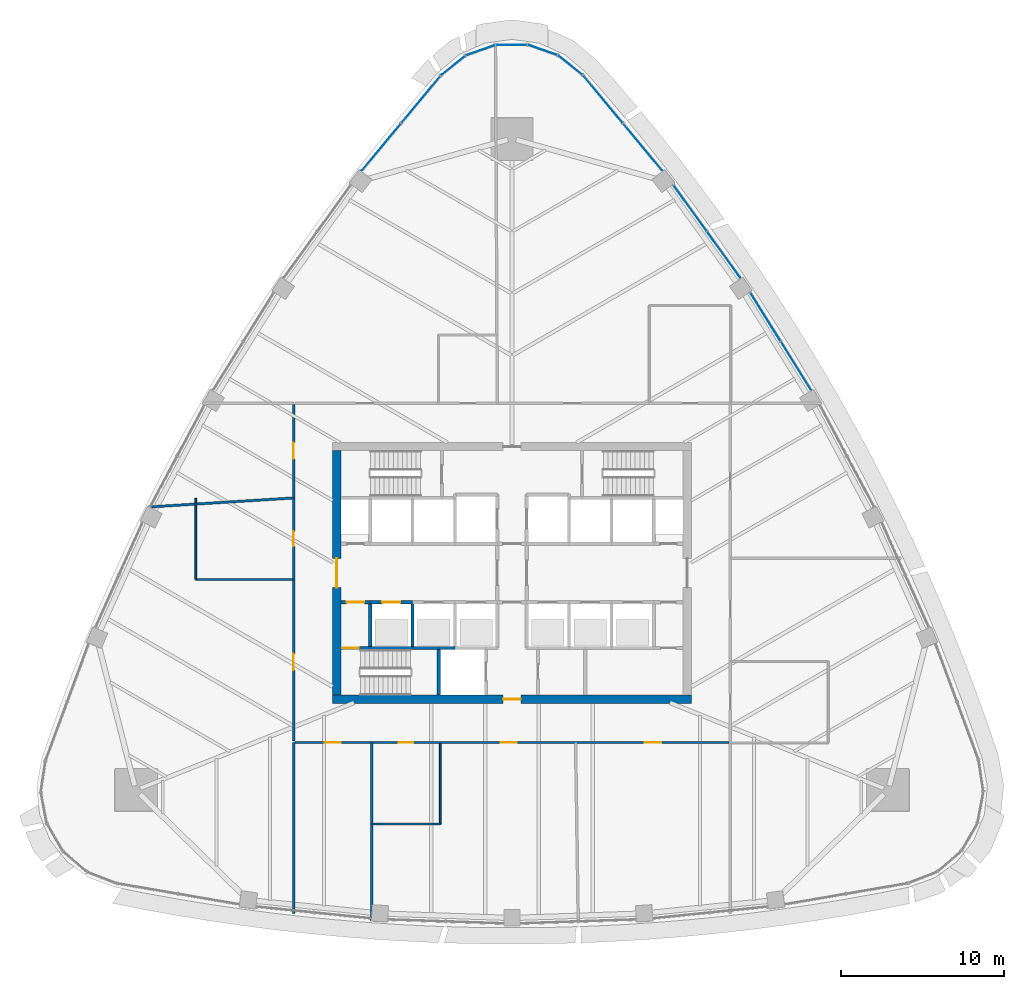
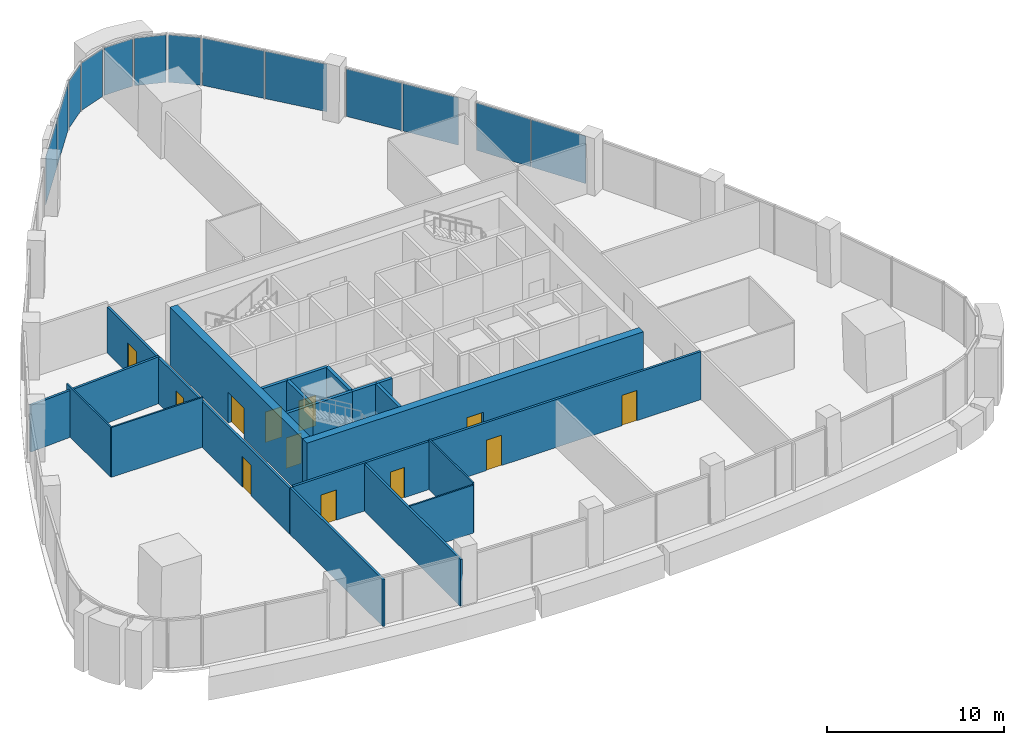
# One storey, part 9 of 16: 20 walls, 13 plates, 12 doors, 12 openings, 9 elements without a shape of their own.
"""IFC4 building model written with IfcOpenShell, lengths in metres."""

from ifc_helpers import new_model, si_unit, direction, frame, frame_2d, origin, origin_2d, place, context, subcontext, project, spatial, rectangle, extrude, material, layer, layer_set, type_object, element, fill, aggregate, save


model = new_model("IFC4")

# Units and contexts
model_context = context("Model", 3, precision=1e-05, world=origin(), true_north=direction((0.0, 1.0)))
body_context = subcontext(model_context, "Body", "Model", "MODEL_VIEW")
ifc_project = project(units=[si_unit("LENGTHUNIT", "METRE"), si_unit("AREAUNIT", "SQUARE_METRE"), si_unit("VOLUMEUNIT", "CUBIC_METRE"), si_unit("PLANEANGLEUNIT", "RADIAN"), si_unit("MASSUNIT", "GRAM", prefix="KILO")], contexts=[model_context])

# Site, building, storey
site_placement = place(None, origin())
site = spatial("IfcSite", under=ifc_project, at=site_placement, CompositionType="ELEMENT")
building_placement = place(site_placement, origin())
building = spatial("IfcBuilding", under=site, at=building_placement, Name="Sierra Prisma Convention Tower", CompositionType="ELEMENT")
storey_placement = place(building_placement, frame((0.0, 0.0, 197.800048828125)))
storey = spatial("IfcBuildingStorey", under=building, at=storey_placement, Name="L44", CompositionType="ELEMENT", Elevation=197.800048828125)

# Curtain wall, plates
ifc_material_1 = material(Name="Aluminium and glass curtain wall", Category="aluminium")
ifc_layer_1 = layer(ifc_material_1, 0.179931640625)
ifc_layer_set_1 = layer_set([ifc_layer_1], Name="CW-1 Plain shaft curtain wall")
curtain_wall_type = type_object("IfcCurtainWallType", Name="CW-1 Plain shaft curtain wall", PredefinedType="NOTDEFINED", material=ifc_layer_set_1)
curtain_wall_1_placement = place(storey_placement, origin())
curtain_wall_1 = element("IfcCurtainWall", 1, at=curtain_wall_1_placement, inside=storey, type_object=curtain_wall_type, Name="CW-1 NE4 L44", PredefinedType="NOTDEFINED")
ifc_material_2 = material(Name="Tinted glass bronze-grey IGU", Category="glass")
ifc_layer_2 = layer(ifc_material_2, 0.028076171875)
ifc_layer_set_2 = layer_set([ifc_layer_2], Name="CW-1 glass panel")
plate_type = type_object("IfcPlateType", Name="CW-1 glass panel", PredefinedType="CURTAIN_PANEL", material=ifc_layer_set_2)
plate_1_placement = place(storey_placement, frame((17.414306640625, 12.70751953125, 0.0), z_axis=(0.0, 0.0, 1.0), x_axis=(-0.529064924176, 0.84858134908, 0.0)))
plate_1 = element("IfcPlate", 2, at=plate_1_placement, type_object=plate_type, Name="CW-1 panel NE4.1", PredefinedType="CURTAIN_PANEL", context=body_context, shape_type="SweptSolid", body=[
    extrude(rectangle(XDim=3.45849609375, YDim=0.028076171875, at=origin_2d()), origin(), (0.0, 0.0, 1.0), 3.280029296875),
])
plate_2_placement = place(storey_placement, frame((15.54736328125, 15.70166015625, 0.0), z_axis=(0.0, 0.0, 1.0), x_axis=(-0.529064924176, 0.84858134908, 0.0)))
plate_2 = element("IfcPlate", 3, at=plate_2_placement, type_object=plate_type, Name="CW-1 panel NE4.2", PredefinedType="CURTAIN_PANEL", context=body_context, shape_type="SweptSolid", body=[
    extrude(rectangle(XDim=3.45849609375, YDim=0.028076171875, at=origin_2d()), origin(), (0.0, 0.0, 1.0), 3.280029296875),
])
aggregate(curtain_wall_1, [plate_1, plate_2])

curtain_wall_2_placement = place(storey_placement, origin())
curtain_wall_2 = element("IfcCurtainWall", 4, at=curtain_wall_2_placement, inside=storey, type_object=curtain_wall_type, Name="CW-1 NE5 L44", PredefinedType="NOTDEFINED")
plate_3_placement = place(storey_placement, frame((12.983154296875, 19.52099609375, 0.0), z_axis=(0.0, 0.0, 1.0), x_axis=(-0.585338283855, 0.810789179414, 0.0)))
plate_3 = element("IfcPlate", 5, at=plate_3_placement, type_object=plate_type, Name="CW-1 panel NE5.1", PredefinedType="CURTAIN_PANEL", context=body_context, shape_type="SweptSolid", body=[
    extrude(rectangle(XDim=3.443115234375, YDim=0.028076171875, at=origin_2d()), origin(), (0.0, 0.0, 1.0), 3.280029296875),
])
plate_4_placement = place(storey_placement, frame((10.9267578125, 22.36962890625, 0.0), z_axis=(0.0, 0.0, 1.0), x_axis=(-0.585338283855, 0.810789179414, 0.0)))
plate_4 = element("IfcPlate", 6, at=plate_4_placement, type_object=plate_type, Name="CW-1 panel NE5.2", PredefinedType="CURTAIN_PANEL", context=body_context, shape_type="SweptSolid", body=[
    extrude(rectangle(XDim=3.443115234375, YDim=0.028076171875, at=origin_2d()), origin(), (0.0, 0.0, 1.0), 3.280029296875),
])
aggregate(curtain_wall_2, [plate_3, plate_4])

curtain_wall_3_placement = place(storey_placement, origin())
curtain_wall_3 = element("IfcCurtainWall", 7, at=curtain_wall_3_placement, inside=storey, type_object=curtain_wall_type, Name="CW-1 NE6 L44", PredefinedType="NOTDEFINED")
plate_5_placement = place(storey_placement, frame((8.009765625, 26.12939453125, 0.0), z_axis=(0.0, 0.0, 1.0), x_axis=(-0.638922049767, 0.769271482847, 0.0)))
plate_5 = element("IfcPlate", 8, at=plate_5_placement, type_object=plate_type, Name="CW-1 panel NE6.1", PredefinedType="CURTAIN_PANEL", context=body_context, shape_type="SweptSolid", body=[
    extrude(rectangle(XDim=3.714599609375, YDim=0.028076171875, at=origin_2d()), origin(), (0.0, 0.0, 1.0), 3.280029296875),
])
plate_6_placement = place(storey_placement, frame((5.591552734375, 29.040771484375, 0.0), z_axis=(0.0, 0.0, 1.0), x_axis=(-0.638922049767, 0.769271482847, 0.0)))
plate_6 = element("IfcPlate", 9, at=plate_6_placement, type_object=plate_type, Name="CW-1 panel NE6.2", PredefinedType="CURTAIN_PANEL", context=body_context, shape_type="SweptSolid", body=[
    extrude(rectangle(XDim=3.714599609375, YDim=0.028076171875, at=origin_2d()), origin(), (0.0, 0.0, 1.0), 3.280029296875),
])
aggregate(curtain_wall_3, [plate_5, plate_6])

# Curtain wall, plate
curtain_wall_4_placement = place(storey_placement, origin())
curtain_wall_4 = element("IfcCurtainWall", 10, at=curtain_wall_4_placement, inside=storey, type_object=curtain_wall_type, Name="CW-1 N1 L44", PredefinedType="NOTDEFINED")
plate_7_placement = place(storey_placement, frame((3.59521484375, 31.1357421875, 0.0), z_axis=(0.0, 0.0, 1.0), x_axis=(-0.780681626296, 0.624928954653, 0.0)))
plate_7 = element("IfcPlate", 11, at=plate_7_placement, type_object=plate_type, Name="CW-1 panel N1.1", PredefinedType="CURTAIN_PANEL", context=body_context, shape_type="SweptSolid", body=[
    extrude(rectangle(XDim=1.8203125, YDim=0.028076171875, at=origin_2d()), origin(), (0.0, 0.0, 1.0), 3.280029296875),
])
aggregate(curtain_wall_4, [plate_7])

curtain_wall_5_placement = place(storey_placement, origin())
curtain_wall_5 = element("IfcCurtainWall", 12, at=curtain_wall_5_placement, inside=storey, type_object=curtain_wall_type, Name="CW-1 N2 L44", PredefinedType="NOTDEFINED")
plate_8_placement = place(storey_placement, frame((1.905029296875, 32.072998046875, 0.0), z_axis=(0.0, 0.0, 1.0), x_axis=(-0.943578726524, 0.331148285292, 0.0)))
plate_8 = element("IfcPlate", 13, at=plate_8_placement, type_object=plate_type, Name="CW-1 panel N2.1", PredefinedType="CURTAIN_PANEL", context=body_context, shape_type="SweptSolid", body=[
    extrude(rectangle(XDim=1.8203125, YDim=0.028076171875, at=origin_2d()), origin(), (0.0, 0.0, 1.0), 3.280029296875),
])
aggregate(curtain_wall_5, [plate_8])

curtain_wall_6_placement = place(storey_placement, origin())
curtain_wall_6 = element("IfcCurtainWall", 14, at=curtain_wall_6_placement, inside=storey, type_object=curtain_wall_type, Name="CW-1 N3 L44", PredefinedType="NOTDEFINED")
plate_9_placement = place(storey_placement, frame((0.0, 32.3974609375, 0.0), z_axis=(0.0, 0.0, 1.0), x_axis=(-1.0, 0.0, 0.0)))
plate_9 = element("IfcPlate", 15, at=plate_9_placement, type_object=plate_type, Name="CW-1 panel N3.1", PredefinedType="CURTAIN_PANEL", context=body_context, shape_type="SweptSolid", body=[
    extrude(rectangle(XDim=1.8203125, YDim=0.028076171875, at=origin_2d()), origin(), (0.0, 0.0, 1.0), 3.280029296875),
])
aggregate(curtain_wall_6, [plate_9])

curtain_wall_7_placement = place(storey_placement, origin())
curtain_wall_7 = element("IfcCurtainWall", 16, at=curtain_wall_7_placement, inside=storey, type_object=curtain_wall_type, Name="CW-1 N4 L44", PredefinedType="NOTDEFINED")
plate_10_placement = place(storey_placement, frame((-1.905029296875, 32.072998046875, 0.0), z_axis=(0.0, 0.0, 1.0), x_axis=(-0.943578726524, -0.331148285292, 0.0)))
plate_10 = element("IfcPlate", 17, at=plate_10_placement, type_object=plate_type, Name="CW-1 panel N4.1", PredefinedType="CURTAIN_PANEL", context=body_context, shape_type="SweptSolid", body=[
    extrude(rectangle(XDim=1.8203125, YDim=0.028076171875, at=origin_2d()), origin(), (0.0, 0.0, 1.0), 3.280029296875),
])
aggregate(curtain_wall_7, [plate_10])

curtain_wall_8_placement = place(storey_placement, origin())
curtain_wall_8 = element("IfcCurtainWall", 18, at=curtain_wall_8_placement, inside=storey, type_object=curtain_wall_type, Name="CW-1 N5 L44", PredefinedType="NOTDEFINED")
plate_11_placement = place(storey_placement, frame((-3.59521484375, 31.1357421875, 0.0), z_axis=(0.0, 0.0, 1.0), x_axis=(-0.780681626296, -0.624928954653, 0.0)))
plate_11 = element("IfcPlate", 19, at=plate_11_placement, type_object=plate_type, Name="CW-1 panel N5.1", PredefinedType="CURTAIN_PANEL", context=body_context, shape_type="SweptSolid", body=[
    extrude(rectangle(XDim=1.8203125, YDim=0.028076171875, at=origin_2d()), origin(), (0.0, 0.0, 1.0), 3.280029296875),
])
aggregate(curtain_wall_8, [plate_11])

# Curtain wall, plates
curtain_wall_9_placement = place(storey_placement, origin())
curtain_wall_9 = element("IfcCurtainWall", 20, at=curtain_wall_9_placement, inside=storey, type_object=curtain_wall_type, Name="CW-1 NW1 L44", PredefinedType="NOTDEFINED")
plate_12_placement = place(storey_placement, frame((-5.591552734375, 29.040771484375, 0.0), z_axis=(0.0, 0.0, 1.0), x_axis=(-0.638922049767, -0.769271482847, 0.0)))
plate_12 = element("IfcPlate", 21, at=plate_12_placement, type_object=plate_type, Name="CW-1 panel NW1.1", PredefinedType="CURTAIN_PANEL", context=body_context, shape_type="SweptSolid", body=[
    extrude(rectangle(XDim=3.714599609375, YDim=0.028076171875, at=origin_2d()), origin(), (0.0, 0.0, 1.0), 3.280029296875),
])
plate_13_placement = place(storey_placement, frame((-8.009765625, 26.12939453125, 0.0), z_axis=(0.0, 0.0, 1.0), x_axis=(-0.638922049767, -0.769271482847, 0.0)))
plate_13 = element("IfcPlate", 22, at=plate_13_placement, type_object=plate_type, Name="CW-1 panel NW1.2", PredefinedType="CURTAIN_PANEL", context=body_context, shape_type="SweptSolid", body=[
    extrude(rectangle(XDim=3.714599609375, YDim=0.028076171875, at=origin_2d()), origin(), (0.0, 0.0, 1.0), 3.280029296875),
])
aggregate(curtain_wall_9, [plate_12, plate_13])

# Walls
ifc_material_3 = material(Name="Gypsum board partition", Category="gypsum")
ifc_layer_3 = layer(ifc_material_3, 0.10009765625)
ifc_layer_set_3 = layer_set([ifc_layer_3], Name="Bathroom partition 100")
wall_type_1 = type_object("IfcWallType", Name="Bathroom partition 100", PredefinedType="PARTITIONING", material=ifc_layer_set_3)
wall_1_placement = place(storey_placement, frame((-13.429931640625, -0.39990234375, 0.0), z_axis=(0.0, 0.0, 1.0), x_axis=(-1.0, 0.0, 0.0)))
element("IfcWall", 23, at=wall_1_placement, inside=storey, type_object=wall_type_1, Name="Partition L44 bath 1", PredefinedType="PARTITIONING", context=body_context, shape_type="SweptSolid", body=[
    extrude(rectangle(XDim=5.969970703125, YDim=0.10009765625, at=frame_2d((2.98486328125, 0.0))), origin(), (0.0, 0.0, 1.0), 3.449951171875),
])
for number, where, z_axis, x_axis, name in (
    (24, (-19.39990234375, -0.39990234375, 0.0), (0.0, 0.0, 1.0), (0.0, 1.0, 0.0), "Partition L44 bath 2"),
    (25, (-4.39990234375, -10.429931640625, 0.0), (0.0, 0.0, 1.0), (0.0, -1.0, 0.0), "Partition L44 bath 3"),
):
    element("IfcWall", number, at=place(storey_placement, frame(where, z_axis=z_axis, x_axis=x_axis)), inside=storey, type_object=wall_type_1, Name=name, PredefinedType="PARTITIONING", context=body_context, shape_type="SweptSolid", body=[
        extrude(rectangle(XDim=4.969970703125, YDim=0.10009765625, at=frame_2d((2.48486328125, 0.0))), origin(), (0.0, 0.0, 1.0), 3.449951171875),
    ])
wall_2_placement = place(storey_placement, frame((-4.39990234375, -15.39990234375, 0.0), z_axis=(0.0, 0.0, 1.0), x_axis=(-1.0, 0.0, 0.0)))
element("IfcWall", 26, at=wall_2_placement, inside=storey, type_object=wall_type_1, Name="Partition L44 bath 4", PredefinedType="PARTITIONING", context=body_context, shape_type="SweptSolid", body=[
    extrude(rectangle(XDim=4.170166015625, YDim=0.10009765625, at=frame_2d((2.0849609375, 0.0))), origin(), (0.0, 0.0, 1.0), 3.31689453125),
])

# Wall, opening, door
ifc_material_4 = material(Name="Concrete C30/37", Category="concrete")
ifc_layer_4 = layer(ifc_material_4, 0.199951171875)
ifc_layer_set_4 = layer_set([ifc_layer_4], Name="Core wall RC 200 C30/37")
wall_type_2 = type_object("IfcWallType", Name="Core wall RC 200 C30/37", PredefinedType="SOLIDWALL", material=ifc_layer_set_4)
wall_3_placement = place(storey_placement, frame((-10.5, -4.60009765625, 0.0), z_axis=(0.0, 0.0, 1.0), x_axis=(1.0, 0.0, 0.0)))
wall_3 = element("IfcWall", 27, at=wall_3_placement, inside=storey, type_object=wall_type_2, Name="Core wall L44 1", PredefinedType="SOLIDWALL", context=body_context, shape_type="SweptSolid", body=[
    extrude(rectangle(XDim=1.800048828125, YDim=0.199951171875, at=frame_2d((0.89990234375, 0.0))), origin(), (0.0, 0.0, 1.0), 3.849853515625),
])
opening_1_placement = place(wall_3_placement, frame((0.10009765625, 0.0, 0.0)))
opening_1 = element("IfcOpeningElement", 28, at=opening_1_placement, cuts=wall_3, Name="Opening L44-D017", PredefinedType="OPENING", context=body_context, shape_type="SweptSolid", body=[
    extrude(rectangle(XDim=1.0, YDim=2.10009765625, at=frame_2d((0.5, 1.050048828125))), frame((0.0, 0.10009765625, 0.0), z_axis=(0.0, -1.0, 0.0), x_axis=(1.0, 0.0, 0.0)), (0.0, 0.0, 1.0), 0.199951171875),
])
ifc_material_5 = material(Name="Steel fire door leaf", Category="steel")
door_type_1 = type_object("IfcDoorType", Name="Door 1000x2100 FD90S", OperationType="SINGLE_SWING_LEFT", PredefinedType="DOOR", material=ifc_material_5)
door_1_placement = place(opening_1_placement, origin())
door_1 = element("IfcDoor", 29, at=door_1_placement, inside=storey, type_object=door_type_1, Name="Door L44 31", OperationType="SINGLE_SWING_LEFT", OverallHeight=2.10009765625, OverallWidth=1.0, PredefinedType="DOOR", context=body_context, shape_type="SweptSolid", body=[
    extrude(rectangle(XDim=1.0, YDim=2.10009765625, at=frame_2d((0.5, 1.050048828125))), frame((0.0, 0.02490234375, 0.0), z_axis=(0.0, -1.0, 0.0), x_axis=(1.0, 0.0, 0.0)), (0.0, 0.0, 1.0), 0.050048828125),
])
fill(opening_1, door_1)

wall_4_placement = place(storey_placement, frame((-10.5, -1.800048828125, 0.0), z_axis=(0.0, 0.0, 1.0), x_axis=(1.0, 0.0, 0.0)))
wall_4 = element("IfcWall", 30, at=wall_4_placement, inside=storey, type_object=wall_type_2, Name="Core wall L44 2", PredefinedType="SOLIDWALL", context=body_context, shape_type="SweptSolid", body=[
    extrude(rectangle(XDim=1.800048828125, YDim=0.199951171875, at=frame_2d((0.89990234375, 0.0))), origin(), (0.0, 0.0, 1.0), 3.849853515625),
])
opening_2_placement = place(wall_4_placement, frame((0.35009765625, 0.0, 0.0)))
opening_2 = element("IfcOpeningElement", 31, at=opening_2_placement, cuts=wall_4, Name="Opening L44-D012", PredefinedType="OPENING", context=body_context, shape_type="SweptSolid", body=[
    extrude(rectangle(XDim=1.10009765625, YDim=2.10009765625, at=frame_2d((0.550048828125, 1.050048828125))), frame((0.0, 0.10009765625, 0.0), z_axis=(0.0, -1.0, 0.0), x_axis=(1.0, 0.0, 0.0)), (0.0, 0.0, 1.0), 0.199951171875),
])
ifc_material_6 = material(Name="Steel fire door leaf", Category="steel")
door_type_2 = type_object("IfcDoorType", Name="Door 1100x2100 FD90S", OperationType="SINGLE_SWING_LEFT", PredefinedType="DOOR", material=ifc_material_6)
door_2_placement = place(opening_2_placement, origin())
door_2 = element("IfcDoor", 32, at=door_2_placement, inside=storey, type_object=door_type_2, Name="Door L44 26", OperationType="SINGLE_SWING_RIGHT", OverallHeight=2.10009765625, OverallWidth=1.10009765625, PredefinedType="DOOR", context=body_context, shape_type="SweptSolid", body=[
    extrude(rectangle(XDim=1.10009765625, YDim=2.10009765625, at=frame_2d((0.550048828125, 1.050048828125))), frame((0.0, 0.02490234375, 0.0), z_axis=(0.0, -1.0, 0.0), x_axis=(1.0, 0.0, 0.0)), (0.0, 0.0, 1.0), 0.050048828125),
])
fill(opening_2, door_2)

# Walls
wall_5_placement = place(storey_placement, frame((-8.699951171875, -4.60009765625, 0.0), z_axis=(0.0, 0.0, 1.0), x_axis=(1.0, 0.0, 0.0)))
element("IfcWall", 33, at=wall_5_placement, inside=storey, type_object=wall_type_2, Name="Core wall L44 5", PredefinedType="SOLIDWALL", context=body_context, shape_type="SweptSolid", body=[
    extrude(rectangle(XDim=2.599853515625, YDim=0.199951171875, at=frame_2d((1.2998046875, 0.0))), origin(), (0.0, 0.0, 1.0), 3.849853515625),
])
wall_6_placement = place(storey_placement, frame((-8.699951171875, -4.60009765625, 0.0), z_axis=(0.0, 0.0, 1.0), x_axis=(0.0, 1.0, 0.0)))
element("IfcWall", 34, at=wall_6_placement, inside=storey, type_object=wall_type_2, Name="Core wall L44 6", PredefinedType="SOLIDWALL", context=body_context, shape_type="SweptSolid", body=[
    extrude(rectangle(XDim=2.800048828125, YDim=0.199951171875, at=frame_2d((1.39990234375, 0.0))), origin(), (0.0, 0.0, 1.0), 3.849853515625),
])

# Wall, opening, door
wall_7_placement = place(storey_placement, frame((-8.699951171875, -1.800048828125, 0.0), z_axis=(0.0, 0.0, 1.0), x_axis=(1.0, 0.0, 0.0)))
wall_7 = element("IfcWall", 35, at=wall_7_placement, inside=storey, type_object=wall_type_2, Name="Core wall L44 7", PredefinedType="SOLIDWALL", context=body_context, shape_type="SweptSolid", body=[
    extrude(rectangle(XDim=2.599853515625, YDim=0.199951171875, at=frame_2d((1.2998046875, 0.0))), origin(), (0.0, 0.0, 1.0), 3.849853515625),
])
opening_3_placement = place(wall_7_placement, frame((0.75, 0.0, 0.0)))
opening_3 = element("IfcOpeningElement", 36, at=opening_3_placement, cuts=wall_7, Name="Opening L44-D001", PredefinedType="OPENING", context=body_context, shape_type="SweptSolid", body=[
    extrude(rectangle(XDim=1.10009765625, YDim=2.10009765625, at=frame_2d((0.550048828125, 1.050048828125))), frame((0.0, 0.10009765625, 0.0), z_axis=(0.0, -1.0, 0.0), x_axis=(1.0, 0.0, 0.0)), (0.0, 0.0, 1.0), 0.199951171875),
])
ifc_material_7 = material(Name="Steel fire door leaf", Category="steel")
door_type_3 = type_object("IfcDoorType", Name="Door 1100x2100 EI 90 sliding lift landing", OperationType="SLIDING_TO_LEFT", PredefinedType="DOOR", material=ifc_material_7)
door_3_placement = place(opening_3_placement, origin())
door_3 = element("IfcDoor", 37, at=door_3_placement, inside=storey, type_object=door_type_3, Name="Door L44 15", OperationType="SLIDING_TO_RIGHT", OverallHeight=2.10009765625, OverallWidth=1.10009765625, PredefinedType="DOOR", context=body_context, shape_type="SweptSolid", body=[
    extrude(rectangle(XDim=1.10009765625, YDim=2.10009765625, at=frame_2d((0.550048828125, 1.050048828125))), frame((0.0, 0.02490234375, 0.0), z_axis=(0.0, -1.0, 0.0), x_axis=(1.0, 0.0, 0.0)), (0.0, 0.0, 1.0), 0.050048828125),
])
fill(opening_3, door_3)

# Walls
wall_8_placement = place(storey_placement, frame((-6.10009765625, -4.60009765625, 0.0), z_axis=(0.0, 0.0, 1.0), x_axis=(1.0, 0.0, 0.0)))
element("IfcWall", 38, at=wall_8_placement, inside=storey, type_object=wall_type_2, Name="Core wall L44 11", PredefinedType="SOLIDWALL", context=body_context, shape_type="SweptSolid", body=[
    extrude(rectangle(XDim=1.60009765625, YDim=0.199951171875, at=frame_2d((0.800048828125, 0.0))), origin(), (0.0, 0.0, 1.0), 3.849853515625),
])
wall_9_placement = place(storey_placement, frame((-6.10009765625, -4.60009765625, 0.0), z_axis=(0.0, 0.0, 1.0), x_axis=(0.0, 1.0, 0.0)))
element("IfcWall", 39, at=wall_9_placement, inside=storey, type_object=wall_type_2, Name="Core wall L44 12", PredefinedType="SOLIDWALL", context=body_context, shape_type="SweptSolid", body=[
    extrude(rectangle(XDim=2.800048828125, YDim=0.199951171875, at=frame_2d((1.39990234375, 0.0))), origin(), (0.0, 0.0, 1.0), 3.849853515625),
])
wall_10_placement = place(storey_placement, frame((-4.5, -4.60009765625, 0.0), z_axis=(0.0, 0.0, 1.0), x_axis=(0.0, -1.0, 0.0)))
element("IfcWall", 40, at=wall_10_placement, inside=storey, type_object=wall_type_2, Name="Core wall L44 17", PredefinedType="SOLIDWALL", context=body_context, shape_type="SweptSolid", body=[
    extrude(rectangle(XDim=2.89990234375, YDim=0.199951171875, at=frame_2d((1.449951171875, 0.0))), origin(), (0.0, 0.0, 1.0), 3.849853515625),
])
wall_11_placement = place(storey_placement, frame((-4.5, -4.60009765625, 0.0), z_axis=(0.0, 0.0, 1.0), x_axis=(1.0, 0.0, 0.0)))
element("IfcWall", 41, at=wall_11_placement, inside=storey, type_object=wall_type_2, Name="Core wall L44 18", PredefinedType="SOLIDWALL", context=body_context, shape_type="SweptSolid", body=[
    extrude(rectangle(XDim=1.0, YDim=0.199951171875, at=frame_2d((0.5, 0.0))), origin(), (0.0, 0.0, 1.0), 3.849853515625),
])

# Wall, opening, door
ifc_material_8 = material(Name="Concrete C60/75", Category="concrete")
ifc_layer_5 = layer(ifc_material_8, 0.5)
ifc_layer_set_5 = layer_set([ifc_layer_5], Name="Core wall RC 500 C60/75")
wall_type_3 = type_object("IfcWallType", Name="Core wall RC 500 C60/75", PredefinedType="SHEAR", material=ifc_layer_set_5)
wall_12_placement = place(storey_placement, frame((-11.0, -7.75, 0.0), z_axis=(0.0, 0.0, 1.0), x_axis=(1.0, 0.0, 0.0)))
wall_12 = element("IfcWall", 42, at=wall_12_placement, inside=storey, type_object=wall_type_3, Name="Core wall S L44", PredefinedType="SHEAR", context=body_context, shape_type="SweptSolid", body=[
    extrude(rectangle(XDim=22.0, YDim=0.5, at=frame_2d((11.0, 0.0))), origin(), (0.0, 0.0, 1.0), 4.0),
])
opening_4_placement = place(wall_12_placement, frame((10.449951171875, 0.0, 0.0)))
opening_4 = element("IfcOpeningElement", 43, at=opening_4_placement, cuts=wall_12, Name="Opening L44-D039", PredefinedType="OPENING", context=body_context, shape_type="SweptSolid", body=[
    extrude(rectangle(XDim=1.10009765625, YDim=2.10009765625, at=frame_2d((0.550048828125, 1.050048828125))), frame((0.0, 0.25, 0.0), z_axis=(0.0, -1.0, 0.0), x_axis=(1.0, 0.0, 0.0)), (0.0, 0.0, 1.0), 0.5),
])
ifc_material_9 = material(Name="Steel fire door leaf", Category="steel")
door_type_4 = type_object("IfcDoorType", Name="Door 1100x2100 FD30S", OperationType="SINGLE_SWING_LEFT", PredefinedType="DOOR", material=ifc_material_9)
door_4_placement = place(opening_4_placement, origin())
door_4 = element("IfcDoor", 44, at=door_4_placement, inside=storey, type_object=door_type_4, Name="Door L44 40", OperationType="SINGLE_SWING_RIGHT", OverallHeight=2.10009765625, OverallWidth=1.10009765625, PredefinedType="DOOR", context=body_context, shape_type="SweptSolid", body=[
    extrude(rectangle(XDim=1.10009765625, YDim=2.10009765625, at=frame_2d((0.550048828125, 1.050048828125))), frame((0.0, 0.02490234375, 0.0), z_axis=(0.0, -1.0, 0.0), x_axis=(1.0, 0.0, 0.0)), (0.0, 0.0, 1.0), 0.050048828125),
])
fill(opening_4, door_4)

wall_13_placement = place(storey_placement, frame((-10.75, -7.5, 0.0), z_axis=(0.0, 0.0, 1.0), x_axis=(0.0, 1.0, 0.0)))
wall_13 = element("IfcWall", 45, at=wall_13_placement, inside=storey, type_object=wall_type_3, Name="Core wall W L44", PredefinedType="SHEAR", context=body_context, shape_type="SweptSolid", body=[
    extrude(rectangle(XDim=15.0, YDim=0.5, at=frame_2d((7.5, 0.0))), origin(), (0.0, 0.0, 1.0), 4.0),
])
opening_5_placement = place(wall_13_placement, frame((6.60009765625, 0.0, 0.0)))
opening_5 = element("IfcOpeningElement", 46, at=opening_5_placement, cuts=wall_13, Name="Opening L44-D040", PredefinedType="OPENING", context=body_context, shape_type="SweptSolid", body=[
    extrude(rectangle(XDim=1.800048828125, YDim=2.10009765625, at=frame_2d((0.89990234375, 1.050048828125))), frame((0.0, 0.25, 0.0), z_axis=(0.0, -1.0, 0.0), x_axis=(1.0, 0.0, 0.0)), (0.0, 0.0, 1.0), 0.5),
])
ifc_material_10 = material(Name="Steel fire door leaf", Category="steel")
door_type_5 = type_object("IfcDoorType", Name="Door 1800x2100 FD60S", OperationType="DOUBLE_DOOR_SINGLE_SWING", PredefinedType="DOOR", material=ifc_material_10)
door_5_placement = place(opening_5_placement, origin())
door_5 = element("IfcDoor", 47, at=door_5_placement, inside=storey, type_object=door_type_5, Name="Door L44 37", OperationType="DOUBLE_DOOR_SINGLE_SWING", OverallHeight=2.10009765625, OverallWidth=1.800048828125, PredefinedType="DOOR", context=body_context, shape_type="SweptSolid", body=[
    extrude(rectangle(XDim=1.800048828125, YDim=2.10009765625, at=frame_2d((0.89990234375, 1.050048828125))), frame((0.0, 0.02490234375, 0.0), z_axis=(0.0, -1.0, 0.0), x_axis=(1.0, 0.0, 0.0)), (0.0, 0.0, 1.0), 0.050048828125),
])
fill(opening_5, door_5)

# Wall, openings, doors
ifc_material_11 = material(Name="Gypsum board partition", Category="gypsum")
ifc_layer_6 = layer(ifc_material_11, 0.14990234375)
ifc_layer_set_6 = layer_set([ifc_layer_6], Name="Corridor wall 150 gypsum EI 60")
wall_type_4 = type_object("IfcWallType", Name="Corridor wall 150 gypsum EI 60", PredefinedType="PARTITIONING", material=ifc_layer_set_6)
wall_14_placement = place(storey_placement, frame((-13.39990234375, 10.320068359375, 0.0), z_axis=(0.0, 0.0, 1.0), x_axis=(0.0, -1.0, 0.0)))
wall_14 = element("IfcWall", 48, at=wall_14_placement, inside=storey, type_object=wall_type_4, Name="Partition L44 corr 1", PredefinedType="PARTITIONING", context=body_context, shape_type="SweptSolid", body=[
    extrude(rectangle(XDim=20.64013671875, YDim=0.14990234375, at=frame_2d((10.320068359375, 0.0))), origin(), (0.0, 0.0, 1.0), 3.166015625),
])
opening_6_placement = place(wall_14_placement, frame((2.320068359375, 0.0, 0.0)))
opening_6 = element("IfcOpeningElement", 49, at=opening_6_placement, cuts=wall_14, Name="Opening L44-D028", PredefinedType="OPENING", context=body_context, shape_type="SweptSolid", body=[
    extrude(rectangle(XDim=1.0, YDim=2.10009765625, at=frame_2d((0.5, 1.050048828125))), frame((0.0, 0.074951171875, 0.0), z_axis=(0.0, -1.0, 0.0), x_axis=(1.0, 0.0, 0.0)), (0.0, 0.0, 1.0), 0.14990234375),
])
opening_7_placement = place(wall_14_placement, frame((7.77001953125, 0.0, 0.0)))
opening_7 = element("IfcOpeningElement", 50, at=opening_7_placement, cuts=wall_14, Name="Opening L44-D029", PredefinedType="OPENING", context=body_context, shape_type="SweptSolid", body=[
    extrude(rectangle(XDim=0.89990234375, YDim=2.10009765625, at=frame_2d((0.449951171875, 1.050048828125))), frame((0.0, 0.074951171875, 0.0), z_axis=(0.0, -1.0, 0.0), x_axis=(1.0, 0.0, 0.0)), (0.0, 0.0, 1.0), 0.14990234375),
])
opening_8_placement = place(wall_14_placement, frame((15.280029296875, 0.0, 0.0)))
opening_8 = element("IfcOpeningElement", 51, at=opening_8_placement, cuts=wall_14, Name="Opening L44-D030", PredefinedType="OPENING", context=body_context, shape_type="SweptSolid", body=[
    extrude(rectangle(XDim=1.0, YDim=2.10009765625, at=frame_2d((0.5, 1.050048828125))), frame((0.0, 0.074951171875, 0.0), z_axis=(0.0, -1.0, 0.0), x_axis=(1.0, 0.0, 0.0)), (0.0, 0.0, 1.0), 0.14990234375),
])
ifc_material_12 = material(Name="Steel fire door leaf", Category="steel")
door_type_6 = type_object("IfcDoorType", Name="Door 1000x2100 FD30S", OperationType="SINGLE_SWING_LEFT", PredefinedType="DOOR", material=ifc_material_12)
door_6_placement = place(opening_6_placement, origin())
door_6 = element("IfcDoor", 52, at=door_6_placement, inside=storey, type_object=door_type_6, Name="Door L44 6", OperationType="SINGLE_SWING_RIGHT", OverallHeight=2.10009765625, OverallWidth=1.0, PredefinedType="DOOR", context=body_context, shape_type="SweptSolid", body=[
    extrude(rectangle(XDim=1.0, YDim=2.10009765625, at=frame_2d((0.5, 1.050048828125))), frame((0.0, 0.02490234375, 0.0), z_axis=(0.0, -1.0, 0.0), x_axis=(1.0, 0.0, 0.0)), (0.0, 0.0, 1.0), 0.050048828125),
])
fill(opening_6, door_6)
door_7_placement = place(opening_8_placement, origin())
door_7 = element("IfcDoor", 53, at=door_7_placement, inside=storey, type_object=door_type_6, Name="Door L44 8", OperationType="SINGLE_SWING_LEFT", OverallHeight=2.10009765625, OverallWidth=1.0, PredefinedType="DOOR", context=body_context, shape_type="SweptSolid", body=[
    extrude(rectangle(XDim=1.0, YDim=2.10009765625, at=frame_2d((0.5, 1.050048828125))), frame((0.0, 0.02490234375, 0.0), z_axis=(0.0, -1.0, 0.0), x_axis=(1.0, 0.0, 0.0)), (0.0, 0.0, 1.0), 0.050048828125),
])
fill(opening_8, door_7)
ifc_material_13 = material(Name="Steel fire door leaf", Category="steel")
door_type_7 = type_object("IfcDoorType", Name="Door 900x2100 FD30S", OperationType="SINGLE_SWING_LEFT", PredefinedType="DOOR", material=ifc_material_13)
door_8_placement = place(opening_7_placement, origin())
door_8 = element("IfcDoor", 54, at=door_8_placement, inside=storey, type_object=door_type_7, Name="Door L44 7", OperationType="SINGLE_SWING_RIGHT", OverallHeight=2.10009765625, OverallWidth=0.89990234375, PredefinedType="DOOR", context=body_context, shape_type="SweptSolid", body=[
    extrude(rectangle(XDim=0.89990234375, YDim=2.10009765625, at=frame_2d((0.449951171875, 1.050048828125))), frame((0.0, 0.02490234375, 0.0), z_axis=(0.0, -1.0, 0.0), x_axis=(1.0, 0.0, 0.0)), (0.0, 0.0, 1.0), 0.050048828125),
])
fill(opening_7, door_8)

wall_15_placement = place(storey_placement, frame((-13.320068359375, -10.39990234375, 0.0), z_axis=(0.0, 0.0, 1.0), x_axis=(1.0, 0.0, 0.0)))
wall_15 = element("IfcWall", 55, at=wall_15_placement, inside=storey, type_object=wall_type_4, Name="Partition L44 corr 2", PredefinedType="PARTITIONING", context=body_context, shape_type="SweptSolid", body=[
    extrude(rectangle(XDim=26.64013671875, YDim=0.14990234375, at=frame_2d((13.320068359375, 0.0))), origin(), (0.0, 0.0, 1.0), 3.31689453125),
])
opening_9_placement = place(wall_15_placement, frame((1.820068359375, 0.0, 0.0)))
opening_9 = element("IfcOpeningElement", 56, at=opening_9_placement, cuts=wall_15, Name="Opening L44-D031", PredefinedType="OPENING", context=body_context, shape_type="SweptSolid", body=[
    extrude(rectangle(XDim=1.0, YDim=2.10009765625, at=frame_2d((0.5, 1.050048828125))), frame((0.0, 0.074951171875, 0.0), z_axis=(0.0, -1.0, 0.0), x_axis=(1.0, 0.0, 0.0)), (0.0, 0.0, 1.0), 0.14990234375),
])
opening_10_placement = place(wall_15_placement, frame((6.3701171875, 0.0, 0.0)))
opening_10 = element("IfcOpeningElement", 57, at=opening_10_placement, cuts=wall_15, Name="Opening L44-D032", PredefinedType="OPENING", context=body_context, shape_type="SweptSolid", body=[
    extrude(rectangle(XDim=0.89990234375, YDim=2.10009765625, at=frame_2d((0.449951171875, 1.050048828125))), frame((0.0, 0.074951171875, 0.0), z_axis=(0.0, -1.0, 0.0), x_axis=(1.0, 0.0, 0.0)), (0.0, 0.0, 1.0), 0.14990234375),
])
opening_11_placement = place(wall_15_placement, frame((12.6201171875, 0.0, 0.0)))
opening_11 = element("IfcOpeningElement", 58, at=opening_11_placement, cuts=wall_15, Name="Opening L44-D033", PredefinedType="OPENING", context=body_context, shape_type="SweptSolid", body=[
    extrude(rectangle(XDim=1.0, YDim=2.10009765625, at=frame_2d((0.5, 1.050048828125))), frame((0.0, 0.074951171875, 0.0), z_axis=(0.0, -1.0, 0.0), x_axis=(1.0, 0.0, 0.0)), (0.0, 0.0, 1.0), 0.14990234375),
])
opening_12_placement = place(wall_15_placement, frame((21.469970703125, 0.0, 0.0)))
opening_12 = element("IfcOpeningElement", 59, at=opening_12_placement, cuts=wall_15, Name="Opening L44-D034", PredefinedType="OPENING", context=body_context, shape_type="SweptSolid", body=[
    extrude(rectangle(XDim=1.0, YDim=2.10009765625, at=frame_2d((0.5, 1.050048828125))), frame((0.0, 0.074951171875, 0.0), z_axis=(0.0, -1.0, 0.0), x_axis=(1.0, 0.0, 0.0)), (0.0, 0.0, 1.0), 0.14990234375),
])
door_9_placement = place(opening_9_placement, origin())
door_9 = element("IfcDoor", 60, at=door_9_placement, inside=storey, type_object=door_type_6, Name="Door L44 9", OperationType="SINGLE_SWING_RIGHT", OverallHeight=2.10009765625, OverallWidth=1.0, PredefinedType="DOOR", context=body_context, shape_type="SweptSolid", body=[
    extrude(rectangle(XDim=1.0, YDim=2.10009765625, at=frame_2d((0.5, 1.050048828125))), frame((0.0, 0.02490234375, 0.0), z_axis=(0.0, -1.0, 0.0), x_axis=(1.0, 0.0, 0.0)), (0.0, 0.0, 1.0), 0.050048828125),
])
fill(opening_9, door_9)
door_10_placement = place(opening_11_placement, origin())
door_10 = element("IfcDoor", 61, at=door_10_placement, inside=storey, type_object=door_type_6, Name="Door L44 11", OperationType="SINGLE_SWING_LEFT", OverallHeight=2.10009765625, OverallWidth=1.0, PredefinedType="DOOR", context=body_context, shape_type="SweptSolid", body=[
    extrude(rectangle(XDim=1.0, YDim=2.10009765625, at=frame_2d((0.5, 1.050048828125))), frame((0.0, 0.02490234375, 0.0), z_axis=(0.0, -1.0, 0.0), x_axis=(1.0, 0.0, 0.0)), (0.0, 0.0, 1.0), 0.050048828125),
])
fill(opening_11, door_10)
door_11_placement = place(opening_12_placement, origin())
door_11 = element("IfcDoor", 62, at=door_11_placement, inside=storey, type_object=door_type_6, Name="Door L44 12", OperationType="SINGLE_SWING_RIGHT", OverallHeight=2.10009765625, OverallWidth=1.0, PredefinedType="DOOR", context=body_context, shape_type="SweptSolid", body=[
    extrude(rectangle(XDim=1.0, YDim=2.10009765625, at=frame_2d((0.5, 1.050048828125))), frame((0.0, 0.02490234375, 0.0), z_axis=(0.0, -1.0, 0.0), x_axis=(1.0, 0.0, 0.0)), (0.0, 0.0, 1.0), 0.050048828125),
])
fill(opening_12, door_11)
door_12_placement = place(opening_10_placement, origin())
door_12 = element("IfcDoor", 63, at=door_12_placement, inside=storey, type_object=door_type_7, Name="Door L44 10", OperationType="SINGLE_SWING_RIGHT", OverallHeight=2.10009765625, OverallWidth=0.89990234375, PredefinedType="DOOR", context=body_context, shape_type="SweptSolid", body=[
    extrude(rectangle(XDim=0.89990234375, YDim=2.10009765625, at=frame_2d((0.449951171875, 1.050048828125))), frame((0.0, 0.02490234375, 0.0), z_axis=(0.0, -1.0, 0.0), x_axis=(1.0, 0.0, 0.0)), (0.0, 0.0, 1.0), 0.050048828125),
])
fill(opening_10, door_12)

# Walls
ifc_material_14 = material(Name="Gypsum board partition", Category="gypsum")
ifc_layer_7 = layer(ifc_material_14, 0.14990234375)
ifc_layer_set_7 = layer_set([ifc_layer_7], Name="Party wall 150 gypsum")
wall_type_5 = type_object("IfcWallType", Name="Party wall 150 gypsum", PredefinedType="PARTITIONING", material=ifc_layer_set_7)
wall_16_placement = place(storey_placement, frame((-13.39990234375, 4.60009765625, 0.0), z_axis=(0.0, 0.0, 1.0), x_axis=(-0.998057152045, -0.062305066026, 0.0)))
element("IfcWall", 64, at=wall_16_placement, inside=storey, type_object=wall_type_5, Name="Partition L44 party 1", PredefinedType="PARTITIONING", context=body_context, shape_type="SweptSolid", body=[
    extrude(rectangle(XDim=8.718505859375, YDim=0.14990234375, at=frame_2d((4.359375, 0.0))), origin(), (0.0, 0.0, 1.0), 3.23388671875),
])
wall_17_placement = place(storey_placement, frame((-13.39990234375, -10.39990234375, 0.0), z_axis=(0.0, 0.0, 1.0), x_axis=(0.0, -1.0, 0.0)))
element("IfcWall", 65, at=wall_17_placement, inside=storey, type_object=wall_type_5, Name="Partition L44 party 3", PredefinedType="PARTITIONING", context=body_context, shape_type="SweptSolid", body=[
    extrude(rectangle(XDim=10.489990234375, YDim=0.14990234375, at=frame_2d((5.2451171875, 0.0))), origin(), (0.0, 0.0, 1.0), 3.23388671875),
])
wall_18_placement = place(storey_placement, frame((-8.60009765625, -10.39990234375, 0.0), z_axis=(0.0, 0.0, 1.0), x_axis=(0.0, -1.0, 0.0)))
element("IfcWall", 66, at=wall_18_placement, inside=storey, type_object=wall_type_5, Name="Partition L44 party 4", PredefinedType="PARTITIONING", context=body_context, shape_type="SweptSolid", body=[
    extrude(rectangle(XDim=10.93359375, YDim=0.14990234375, at=frame_2d((5.466796875, 0.0))), origin(), (0.0, 0.0, 1.0), 3.23388671875),
])

save(model, "model.ifc")
